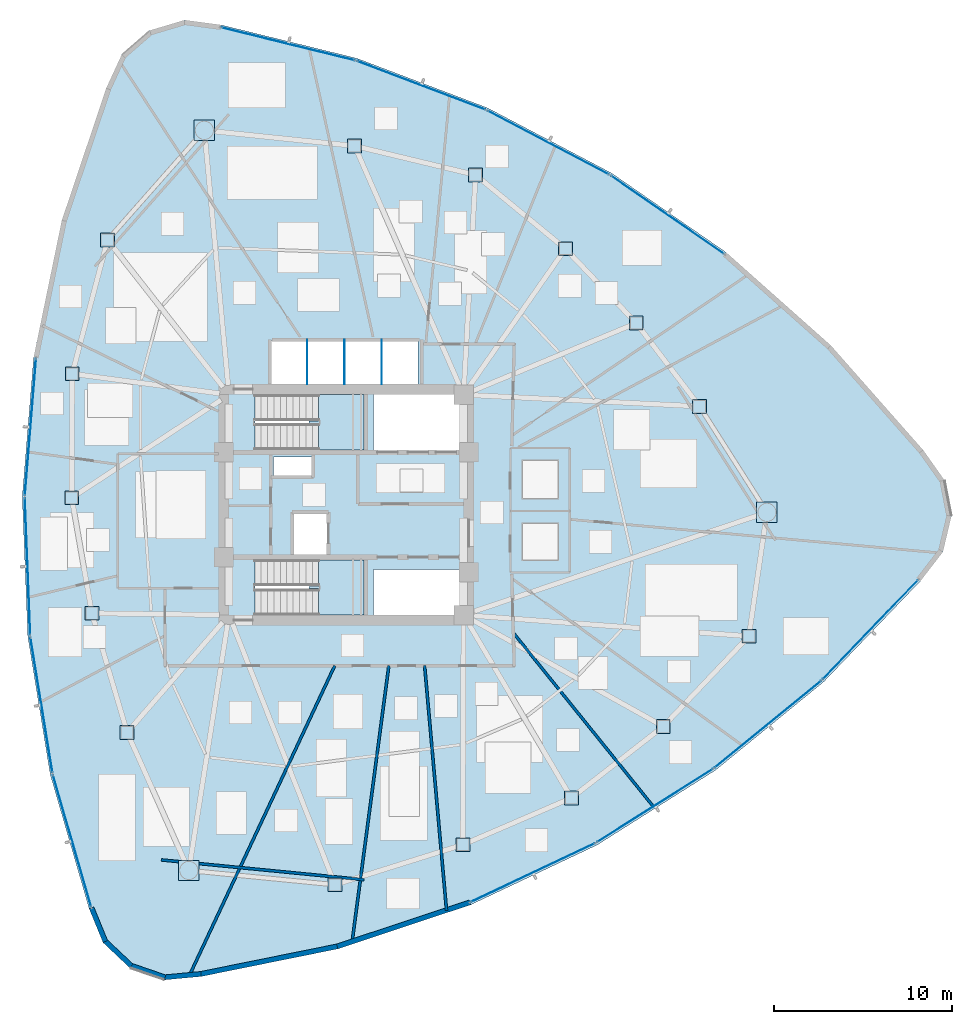
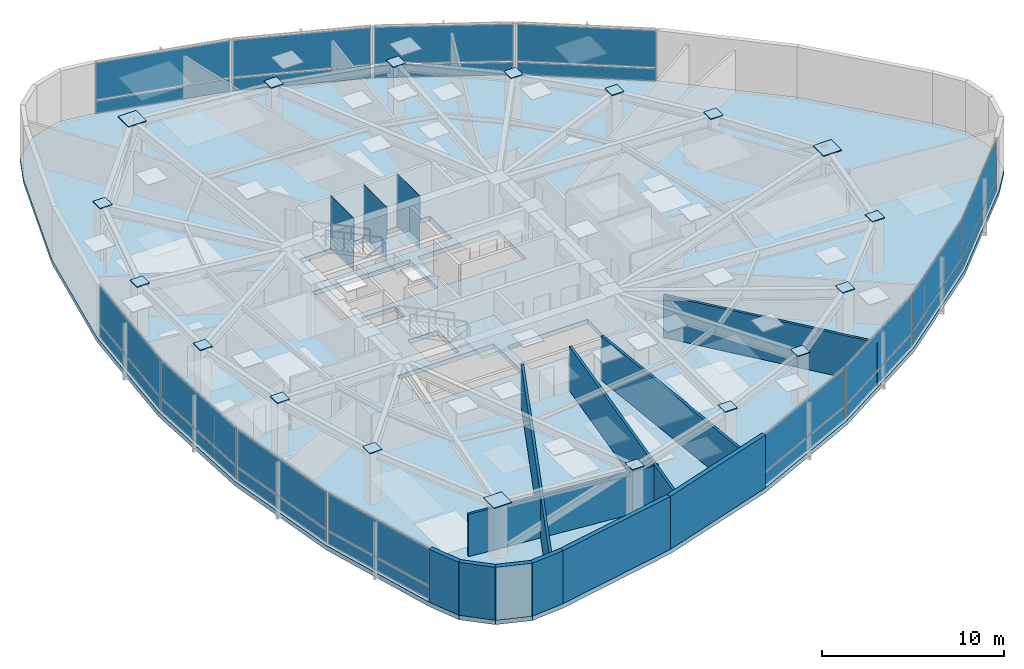
# One storey, part 10 of 17: 45 plates, 11 walls, 3 slabs, 14 elements without a shape of their own.
"""IFC4 building model written with IfcOpenShell, lengths in metres."""

from ifc_helpers import new_model, si_unit, direction, frame, frame_2d, origin, origin_2d, place, context, subcontext, project, spatial, polyline, rectangle, outline, extrude, source, transform, mapped, material, layer, layer_set, type_object, type_shapes, element, aggregate, save


model = new_model("IFC4")

# Units and contexts
model_context = context("Model", 3, precision=1e-05, world=origin(), true_north=direction((0.0, 1.0)))
body_context = subcontext(model_context, "Body", "Model", "MODEL_VIEW")
ifc_project = project(units=[si_unit("LENGTHUNIT", "METRE"), si_unit("AREAUNIT", "SQUARE_METRE"), si_unit("VOLUMEUNIT", "CUBIC_METRE"), si_unit("PLANEANGLEUNIT", "RADIAN"), si_unit("MASSUNIT", "GRAM", prefix="KILO")], contexts=[model_context])

# Site, building, storey
site_placement = place(None, origin())
site = spatial("IfcSite", under=ifc_project, at=site_placement, CompositionType="ELEMENT")
building_placement = place(site_placement, origin())
building = spatial("IfcBuilding", under=site, at=building_placement, Name="Tavelor Broadcast Tower", CompositionType="ELEMENT")
storey_placement = place(building_placement, frame((0.0, 0.0, 154.10009765625)))
storey = spatial("IfcBuildingStorey", under=building, at=storey_placement, Name="L36", CompositionType="ELEMENT", Elevation=154.10009765625)

# Stair, slab
ifc_material_1 = material(Name="Concrete C40/50", Category="concrete")
stair_type = type_object("IfcStairType", Name="Reinforced Concrete Protected Dogleg Stair 1450 mm", PredefinedType="HALF_TURN_STAIR", material=ifc_material_1)
stair_1_placement = place(storey_placement, origin())
stair_1 = element("IfcStair", 1, at=stair_1_placement, inside=storey, type_object=stair_type, Name="L36 Protected Core Exit Stair ST1", PredefinedType="HALF_TURN_STAIR")
ifc_layer_1 = layer(ifc_material_1, 0.199951171875)
ifc_layer_set_1 = layer_set([ifc_layer_1], Name="Concrete C40/50")
slab_type_1 = type_object("IfcSlabType", Name="Reinforced Concrete Stair Half-Landing Slab 200 mm", PredefinedType="LANDING", material=ifc_layer_set_1)
slab_1_placement = place(storey_placement, frame((0.0, 0.0, 1.724853515625)))
slab_1 = element("IfcSlab", 2, at=slab_1_placement, type_object=slab_type_1, Name="ST1 landing 1", PredefinedType="LANDING", context=body_context, shape_type="SweptSolid", body=[
    extrude(outline(polyline([(48.445068359375, 49.590087890625), (48.445068359375, 48.094970703125), (51.0048828125, 48.094970703125), (51.0048828125, 51.205078125), (48.445068359375, 51.205078125), (48.445068359375, 49.7099609375), (47.905029296875, 49.7099609375), (47.905029296875, 49.590087890625), (48.445068359375, 49.590087890625)])), origin(), (0.0, 0.0, 1.0), 0.199951171875),
])
aggregate(stair_1, [slab_1])

stair_2_placement = place(storey_placement, origin())
stair_2 = element("IfcStair", 3, at=stair_2_placement, inside=storey, type_object=stair_type, Name="L36 Protected Core Exit Stair ST2", PredefinedType="HALF_TURN_STAIR")
slab_2_placement = place(storey_placement, frame((0.0, 0.0, 1.724853515625)))
slab_2 = element("IfcSlab", 4, at=slab_2_placement, type_object=slab_type_1, Name="ST2 landing 1", PredefinedType="LANDING", context=body_context, shape_type="SweptSolid", body=[
    extrude(outline(polyline([(48.445068359375, 40.2900390625), (48.445068359375, 38.794921875), (51.0048828125, 38.794921875), (51.0048828125, 41.905029296875), (48.445068359375, 41.905029296875), (48.445068359375, 40.409912109375), (47.905029296875, 40.409912109375), (47.905029296875, 40.2900390625), (48.445068359375, 40.2900390625)])), origin(), (0.0, 0.0, 1.0), 0.199951171875),
])
aggregate(stair_2, [slab_2])

# Slab
ifc_layer_2 = layer(ifc_material_1, 0.300048828125)
ifc_layer_set_2 = layer_set([ifc_layer_2], Name="Concrete C40/50")
slab_type_2 = type_object("IfcSlabType", Name="Tower Composite Floor Slab 300 mm", PredefinedType="FLOOR", material=ifc_layer_set_2)
slab_3_placement = place(storey_placement, frame((0.0, 0.0, -0.300048828125)))
element("IfcSlab", 5, at=slab_3_placement, inside=storey, type_object=slab_type_2, Name="L36 Structural Floor Slab", PredefinedType="FLOOR", context=body_context, shape_type="SweptSolid", body=[
    extrude(outline(polyline([(42.952392578125, 72.014404296875), (40.903564453125, 72.289794921875), (38.923095703125, 71.697509765625), (37.36181640625, 70.342529296875), (36.49609375, 68.465087890625), (33.989501953125, 61.006591796875), (32.40380859375, 53.2998046875), (31.7626953125, 45.45751953125), (32.074951171875, 37.59521484375), (33.33642578125, 29.82861328125), (35.528564453125, 22.271484375), (36.314697265625, 20.359619140625), (37.81787109375, 18.940673828125), (39.77197265625, 18.265869140625), (41.830322265625, 18.455078125), (49.54296875, 20.013427734375), (57.01025390625, 22.493896484375), (64.12255859375, 25.859619140625), (70.775390625, 30.061279296875), (76.87060546875, 35.037109375), (82.319091796875, 40.7138671875), (83.581787109375, 42.3505859375), (84.05908203125, 44.362060546875), (83.66650390625, 46.3916015625), (82.473388671875, 48.07958984375), (77.267333984375, 53.979736328125), (71.3857421875, 59.20654296875), (64.914794921875, 63.68310546875), (57.94970703125, 67.343505859375), (50.593017578125, 70.134521484375), (42.952392578125, 72.014404296875)]), holes=[polyline([(56.60009765625, 41.35009765625), (56.60009765625, 38.800048828125), (51.52001953125, 38.800048828125), (51.52001953125, 41.35009765625), (56.60009765625, 41.35009765625)]), polyline([(50.99609375, 38.803955078125), (44.85400390625, 38.803955078125), (44.85400390625, 41.89599609375), (50.99609375, 41.89599609375), (50.99609375, 38.803955078125)]), polyline([(47.050048828125, 42.199951171875), (47.050048828125, 44.550048828125), (48.949951171875, 44.550048828125), (48.949951171875, 42.199951171875), (47.050048828125, 42.199951171875)]), polyline([(48.050048828125, 46.64990234375), (45.89990234375, 46.64990234375), (45.89990234375, 47.699951171875), (48.050048828125, 47.699951171875), (48.050048828125, 46.64990234375)]), polyline([(50.99609375, 48.10400390625), (44.85400390625, 48.10400390625), (44.85400390625, 51.196044921875), (50.99609375, 51.196044921875), (50.99609375, 48.10400390625)]), polyline([(56.60009765625, 48.10009765625), (51.52001953125, 48.10009765625), (51.52001953125, 51.199951171875), (56.60009765625, 51.199951171875), (56.60009765625, 48.10009765625)]), polyline([(54.050048828125, 51.800048828125), (45.800048828125, 51.800048828125), (45.800048828125, 54.25), (54.050048828125, 54.25), (54.050048828125, 51.800048828125)])]), origin(), (0.0, 0.0, 1.0), 0.300048828125),
])

# Plates
ifc_material_2 = material(Name="Steel S460", Category="steel")
ifc_layer_3 = layer(ifc_material_2, 0.050048828125)
ifc_layer_set_3 = layer_set([ifc_layer_3], Name="Steel S460")
plate_type_1 = type_object("IfcPlateType", Name="Tube Hollow-End Cap Plate KN05 700x700x50", PredefinedType="USERDEFINED", material=ifc_layer_set_3)
shared_shape_1 = source(origin(), body_context, "Body", "SweptSolid", [
    extrude(rectangle(XDim=1.14697265625, YDim=1.14697265625, at=origin_2d()), origin(), (0.0, 0.0, 1.0), 0.054931640625),
])
for number, where, z_axis, x_axis, name in (
    (6, (42.01123046875, 66.080078125, 3.5224609375), (0.0, 0.0, 1.0), (1.0, 0.0, 0.0), "L36 Hollow End Cap Plate KN05 #1035"),
    (7, (41.138671875, 24.423828125, 3.5224609375), (0.0, 0.0, 1.0), (1.0, 0.0, 0.0), "L36 Hollow End Cap Plate KN05 #1041"),
    (8, (73.676025390625, 44.57958984375, 3.5224609375), (0.0, 0.0, 1.0), (1.0, 0.0, 0.0), "L36 Hollow End Cap Plate KN05 #1047"),
):
    element("IfcPlate", number, at=place(storey_placement, frame(where, z_axis=z_axis, x_axis=x_axis)), inside=storey, type_object=plate_type_1, Name=name, ObjectType="CAP PLATE", PredefinedType="USERDEFINED", context=body_context, shape_type="MappedRepresentation", body=[
        mapped(shared_shape_1, transform((0.0, 0.0, 0.0), scale=1.0)),
    ])
shared_shape_2 = source(origin(), body_context, "Body", "SweptSolid", [
    extrude(rectangle(XDim=0.780029296875, YDim=0.780029296875, at=origin_2d()), origin(), (0.0, 0.0, 1.0), 0.054931640625),
])
type_shapes(plate_type_1, [shared_shape_1, shared_shape_2])
for number, where, z_axis, x_axis, name in (
    (9, (36.567626953125, 59.91064453125, 3.5224609375), (0.0, 0.0, 1.0), (1.0, 0.0, 0.0), "L36 Hollow End Cap Plate KN05 #1036"),
    (10, (34.5751953125, 52.37939453125, 3.5224609375), (0.0, 0.0, 1.0), (1.0, 0.0, 0.0), "L36 Hollow End Cap Plate KN05 #1037"),
    (11, (34.54638671875, 45.399169921875, 3.5224609375), (0.0, 0.0, 1.0), (1.0, 0.0, 0.0), "L36 Hollow End Cap Plate KN05 #1038"),
    (12, (35.680908203125, 38.89990234375, 3.5224609375), (0.0, 0.0, 1.0), (1.0, 0.0, 0.0), "L36 Hollow End Cap Plate KN05 #1039"),
    (13, (37.668212890625, 32.1904296875, 3.5224609375), (0.0, 0.0, 1.0), (1.0, 0.0, 0.0), "L36 Hollow End Cap Plate KN05 #1040"),
    (14, (49.366455078125, 23.618896484375, 3.5224609375), (0.0, 0.0, 1.0), (1.0, 0.0, 0.0), "L36 Hollow End Cap Plate KN05 #1042"),
    (15, (56.56103515625, 25.872802734375, 3.5224609375), (0.0, 0.0, 1.0), (1.0, 0.0, 0.0), "L36 Hollow End Cap Plate KN05 #1043"),
    (16, (62.669189453125, 28.503173828125, 3.5224609375), (0.0, 0.0, 1.0), (1.0, 0.0, 0.0), "L36 Hollow End Cap Plate KN05 #1044"),
    (17, (67.84228515625, 32.53173828125, 3.5224609375), (0.0, 0.0, 1.0), (1.0, 0.0, 0.0), "L36 Hollow End Cap Plate KN05 #1045"),
    (18, (72.6591796875, 37.607421875, 3.5224609375), (0.0, 0.0, 1.0), (1.0, 0.0, 0.0), "L36 Hollow End Cap Plate KN05 #1046"),
    (19, (69.885986328125, 50.544189453125, 3.5224609375), (0.0, 0.0, 1.0), (1.0, 0.0, 0.0), "L36 Hollow End Cap Plate KN05 #1048"),
    (20, (66.322021484375, 55.228759765625, 3.5224609375), (0.0, 0.0, 1.0), (1.0, 0.0, 0.0), "L36 Hollow End Cap Plate KN05 #1049"),
    (21, (62.330810546875, 59.416259765625, 3.5224609375), (0.0, 0.0, 1.0), (1.0, 0.0, 0.0), "L36 Hollow End Cap Plate KN05 #1050"),
    (22, (57.276611328125, 63.568359375, 3.5224609375), (0.0, 0.0, 1.0), (1.0, 0.0, 0.0), "L36 Hollow End Cap Plate KN05 #1051"),
    (23, (50.472412109375, 65.2021484375, 3.5224609375), (0.0, 0.0, 1.0), (1.0, 0.0, 0.0), "L36 Hollow End Cap Plate KN05 #1052"),
):
    element("IfcPlate", number, at=place(storey_placement, frame(where, z_axis=z_axis, x_axis=x_axis)), inside=storey, type_object=plate_type_1, Name=name, ObjectType="CAP PLATE", PredefinedType="USERDEFINED", context=body_context, shape_type="MappedRepresentation", body=[
        mapped(shared_shape_2, transform((0.0, 0.0, 0.0), scale=1.0)),
    ])
ifc_material_3 = material(Name="Steel S355", Category="steel")
ifc_layer_4 = layer(ifc_material_3, 0.011962890625)
ifc_layer_set_4 = layer_set([ifc_layer_4], Name="Steel S355")
plate_type_2 = type_object("IfcPlateType", Name="Hoistway Steel Separator Screen 12 mm", PredefinedType="SHEET", material=ifc_layer_set_4)
shared_shape_3 = source(origin(), body_context, "Body", "SweptSolid", [
    extrude(rectangle(XDim=0.02001953125, YDim=2.52001953125, at=origin_2d()), origin(), (0.0, 0.0, 1.0), 3.550048828125),
])
type_shapes(plate_type_2, [shared_shape_3])
for number, where, z_axis, x_axis, name in (
    (24, (47.800048828125, 53.0400390625, 0.0), (0.0, 0.0, 1.0), (1.0, 0.0, 0.0), "L36 High-Rise Hoistway Separator Screen 1"),
    (25, (49.89990234375, 53.0400390625, 0.0), (0.0, 0.0, 1.0), (1.0, 0.0, 0.0), "L36 High-Rise Hoistway Separator Screen 2"),
    (26, (52.0, 53.0400390625, 0.0), (0.0, 0.0, 1.0), (1.0, 0.0, 0.0), "L36 High-Rise Hoistway Separator Screen 3"),
):
    element("IfcPlate", number, at=place(storey_placement, frame(where, z_axis=z_axis, x_axis=x_axis)), inside=storey, type_object=plate_type_2, Name=name, PredefinedType="SHEET", context=body_context, shape_type="MappedRepresentation", body=[
        mapped(shared_shape_3, transform((0.0, 0.0, 0.0), scale=1.0)),
    ])

# Curtain wall, plate
ifc_material_4 = material(Name="Architectural Anodized Aluminium", Category="aluminium")
ifc_layer_5 = layer(ifc_material_4, 0.18994140625)
ifc_layer_set_5 = layer_set([ifc_layer_5], Name="Architectural Anodized Aluminium")
curtain_wall_type = type_object("IfcCurtainWallType", Name="Tower Mid-Zone Acoustic Curtain Wall CW03", PredefinedType="NOTDEFINED", material=ifc_layer_set_5)
curtain_wall_1_placement = place(storey_placement, origin())
curtain_wall_1 = element("IfcCurtainWall", 27, at=curtain_wall_1_placement, inside=storey, type_object=curtain_wall_type, Name="L36 Curtain Wall CW03 Run 373", PredefinedType="NOTDEFINED")
ifc_material_5 = material(Name="Solar Control Double Glazing 30 mm", Category="glass")
ifc_layer_6 = layer(ifc_material_5, 0.030029296875)
ifc_layer_set_6 = layer_set([ifc_layer_6], Name="Solar Control Double Glazing 30 mm")
plate_type_3 = type_object("IfcPlateType", Name="CW03 Insulated Vision Glazing Panel 30 mm", PredefinedType="CURTAIN_PANEL", material=ifc_layer_set_6)
shared_shape_4 = source(origin(), body_context, "Body", "SweptSolid", [
    extrude(rectangle(XDim=7.700439453125, YDim=0.030029296875, at=origin_2d()), origin(), (0.0, 0.0, 1.0), 0.847900390625),
])
plate_1_placement = place(storey_placement, frame((32.223388671875, 49.37451171875, 0.06787109375), z_axis=(0.0, 0.0, 1.0), x_axis=(-0.08150351833, -0.996673053965, 0.0)))
plate_1 = element("IfcPlate", 28, at=plate_1_placement, type_object=plate_type_3, Name="CW03 panel 1.1", PredefinedType="CURTAIN_PANEL", context=body_context, shape_type="MappedRepresentation", body=[
    mapped(shared_shape_4, transform((0.0, 0.0, 0.0), scale=1.0)),
])

curtain_wall_2_placement = place(storey_placement, origin())
curtain_wall_2 = element("IfcCurtainWall", 29, at=curtain_wall_2_placement, inside=storey, type_object=curtain_wall_type, Name="L36 Curtain Wall CW03 Run 377", PredefinedType="NOTDEFINED")
plate_2_placement = place(storey_placement, frame((60.499755859375, 24.300048828125, 0.06787109375), z_axis=(0.0, 0.0, 1.0), x_axis=(0.903900430898, 0.427742926326, 0.0)))
plate_2 = element("IfcPlate", 30, at=plate_2_placement, type_object=plate_type_3, Name="CW03 panel 1.1", PredefinedType="CURTAIN_PANEL", context=body_context, shape_type="MappedRepresentation", body=[
    mapped(shared_shape_4, transform((0.0, 0.0, 0.0), scale=1.0)),
])

curtain_wall_3_placement = place(storey_placement, origin())
curtain_wall_3 = element("IfcCurtainWall", 31, at=curtain_wall_3_placement, inside=storey, type_object=curtain_wall_type, Name="L36 Curtain Wall CW03 Run 381", PredefinedType="NOTDEFINED")
plate_3_placement = place(storey_placement, frame((68.076904296875, 61.325439453125, 0.06787109375), z_axis=(0.0, 0.0, 1.0), x_axis=(-0.822391977401, 0.568921291135, 0.0)))
plate_3 = element("IfcPlate", 32, at=plate_3_placement, type_object=plate_type_3, Name="CW03 panel 1.1", PredefinedType="CURTAIN_PANEL", context=body_context, shape_type="MappedRepresentation", body=[
    mapped(shared_shape_4, transform((0.0, 0.0, 0.0), scale=1.0)),
])

# Plate
shared_shape_5 = source(origin(), body_context, "Body", "SweptSolid", [
    extrude(rectangle(XDim=7.700439453125, YDim=0.030029296875, at=origin_2d()), origin(), (0.0, 0.0, 1.0), 2.498046875),
])
plate_4_placement = place(storey_placement, frame((32.223388671875, 49.37451171875, 0.98388671875), z_axis=(0.0, 0.0, 1.0), x_axis=(-0.08150351833, -0.996673053965, 0.0)))
plate_4 = element("IfcPlate", 33, at=plate_4_placement, type_object=plate_type_3, Name="CW03 panel 1.2", PredefinedType="CURTAIN_PANEL", context=body_context, shape_type="MappedRepresentation", body=[
    mapped(shared_shape_5, transform((0.0, 0.0, 0.0), scale=1.0)),
])

aggregate(curtain_wall_1, [plate_1, plate_4])

plate_5_placement = place(storey_placement, frame((60.499755859375, 24.300048828125, 0.98388671875), z_axis=(0.0, 0.0, 1.0), x_axis=(0.903900430898, 0.427742926326, 0.0)))
plate_5 = element("IfcPlate", 34, at=plate_5_placement, type_object=plate_type_3, Name="CW03 panel 1.2", PredefinedType="CURTAIN_PANEL", context=body_context, shape_type="MappedRepresentation", body=[
    mapped(shared_shape_5, transform((0.0, 0.0, 0.0), scale=1.0)),
])

aggregate(curtain_wall_2, [plate_2, plate_5])

plate_6_placement = place(storey_placement, frame((68.076904296875, 61.325439453125, 0.98388671875), z_axis=(0.0, 0.0, 1.0), x_axis=(-0.822391977401, 0.568921291135, 0.0)))
plate_6 = element("IfcPlate", 35, at=plate_6_placement, type_object=plate_type_3, Name="CW03 panel 1.2", PredefinedType="CURTAIN_PANEL", context=body_context, shape_type="MappedRepresentation", body=[
    mapped(shared_shape_5, transform((0.0, 0.0, 0.0), scale=1.0)),
])

aggregate(curtain_wall_3, [plate_3, plate_6])

# Curtain wall, plate
curtain_wall_4_placement = place(storey_placement, origin())
curtain_wall_4 = element("IfcCurtainWall", 36, at=curtain_wall_4_placement, inside=storey, type_object=curtain_wall_type, Name="L36 Curtain Wall CW03 Run 374", PredefinedType="NOTDEFINED")
shared_shape_6 = source(origin(), body_context, "Body", "SweptSolid", [
    extrude(rectangle(XDim=7.685546875, YDim=0.030029296875, at=origin_2d()), origin(), (0.0, 0.0, 1.0), 0.847900390625),
])
plate_7_placement = place(storey_placement, frame((32.05859375, 41.53173828125, 0.06787109375), z_axis=(0.0, 0.0, 1.0), x_axis=(0.039711207292, -0.999211198904, 0.0)))
plate_7 = element("IfcPlate", 37, at=plate_7_placement, type_object=plate_type_3, Name="CW03 panel 1.1", PredefinedType="CURTAIN_PANEL", context=body_context, shape_type="MappedRepresentation", body=[
    mapped(shared_shape_6, transform((0.0, 0.0, 0.0), scale=1.0)),
])

curtain_wall_5_placement = place(storey_placement, origin())
curtain_wall_5 = element("IfcCurtainWall", 38, at=curtain_wall_5_placement, inside=storey, type_object=curtain_wall_type, Name="L36 Curtain Wall CW03 Run 375", PredefinedType="NOTDEFINED")
plate_8_placement = place(storey_placement, frame((32.843994140625, 33.734130859375, 0.06787109375), z_axis=(0.0, 0.0, 1.0), x_axis=(0.160315257914, -0.987065863091, 0.0)))
plate_8 = element("IfcPlate", 39, at=plate_8_placement, type_object=plate_type_3, Name="CW03 panel 1.1", PredefinedType="CURTAIN_PANEL", context=body_context, shape_type="MappedRepresentation", body=[
    mapped(shared_shape_6, transform((0.0, 0.0, 0.0), scale=1.0)),
])

curtain_wall_6_placement = place(storey_placement, origin())
curtain_wall_6 = element("IfcCurtainWall", 40, at=curtain_wall_6_placement, inside=storey, type_object=curtain_wall_type, Name="L36 Curtain Wall CW03 Run 378", PredefinedType="NOTDEFINED")
plate_9_placement = place(storey_placement, frame((67.374267578125, 28.07861328125, 0.06787109375), z_axis=(0.0, 0.0, 1.0), x_axis=(0.84549072588, 0.533990105199, 0.0)))
plate_9 = element("IfcPlate", 41, at=plate_9_placement, type_object=plate_type_3, Name="CW03 panel 1.1", PredefinedType="CURTAIN_PANEL", context=body_context, shape_type="MappedRepresentation", body=[
    mapped(shared_shape_6, transform((0.0, 0.0, 0.0), scale=1.0)),
])

curtain_wall_7_placement = place(storey_placement, origin())
curtain_wall_7 = element("IfcCurtainWall", 42, at=curtain_wall_7_placement, inside=storey, type_object=curtain_wall_type, Name="L36 Curtain Wall CW03 Run 382", PredefinedType="NOTDEFINED")
plate_10_placement = place(storey_placement, frame((61.3671875, 65.389404296875, 0.06787109375), z_axis=(0.0, 0.0, 1.0), x_axis=(-0.88519457416, 0.465220986067, 0.0)))
plate_10 = element("IfcPlate", 43, at=plate_10_placement, type_object=plate_type_3, Name="CW03 panel 1.1", PredefinedType="CURTAIN_PANEL", context=body_context, shape_type="MappedRepresentation", body=[
    mapped(shared_shape_6, transform((0.0, 0.0, 0.0), scale=1.0)),
])

curtain_wall_8_placement = place(storey_placement, origin())
curtain_wall_8 = element("IfcCurtainWall", 44, at=curtain_wall_8_placement, inside=storey, type_object=curtain_wall_type, Name="L36 Curtain Wall CW03 Run 383", PredefinedType="NOTDEFINED")
plate_11_placement = place(storey_placement, frame((54.2216796875, 68.608154296875, 0.06787109375), z_axis=(0.0, 0.0, 1.0), x_axis=(-0.93498042073, 0.35469932739, 0.0)))
plate_11 = element("IfcPlate", 45, at=plate_11_placement, type_object=plate_type_3, Name="CW03 panel 1.1", PredefinedType="CURTAIN_PANEL", context=body_context, shape_type="MappedRepresentation", body=[
    mapped(shared_shape_6, transform((0.0, 0.0, 0.0), scale=1.0)),
])

# Plate
shared_shape_7 = source(origin(), body_context, "Body", "SweptSolid", [
    extrude(rectangle(XDim=7.685546875, YDim=0.030029296875, at=origin_2d()), origin(), (0.0, 0.0, 1.0), 2.498046875),
])
plate_12_placement = place(storey_placement, frame((32.05859375, 41.53173828125, 0.98388671875), z_axis=(0.0, 0.0, 1.0), x_axis=(0.039711207292, -0.999211198904, 0.0)))
plate_12 = element("IfcPlate", 46, at=plate_12_placement, type_object=plate_type_3, Name="CW03 panel 1.2", PredefinedType="CURTAIN_PANEL", context=body_context, shape_type="MappedRepresentation", body=[
    mapped(shared_shape_7, transform((0.0, 0.0, 0.0), scale=1.0)),
])

aggregate(curtain_wall_4, [plate_7, plate_12])

plate_13_placement = place(storey_placement, frame((32.843994140625, 33.734130859375, 0.98388671875), z_axis=(0.0, 0.0, 1.0), x_axis=(0.160315257914, -0.987065863091, 0.0)))
plate_13 = element("IfcPlate", 47, at=plate_13_placement, type_object=plate_type_3, Name="CW03 panel 1.2", PredefinedType="CURTAIN_PANEL", context=body_context, shape_type="MappedRepresentation", body=[
    mapped(shared_shape_7, transform((0.0, 0.0, 0.0), scale=1.0)),
])

aggregate(curtain_wall_5, [plate_8, plate_13])

plate_14_placement = place(storey_placement, frame((67.374267578125, 28.07861328125, 0.98388671875), z_axis=(0.0, 0.0, 1.0), x_axis=(0.84549072588, 0.533990105199, 0.0)))
plate_14 = element("IfcPlate", 48, at=plate_14_placement, type_object=plate_type_3, Name="CW03 panel 1.2", PredefinedType="CURTAIN_PANEL", context=body_context, shape_type="MappedRepresentation", body=[
    mapped(shared_shape_7, transform((0.0, 0.0, 0.0), scale=1.0)),
])

aggregate(curtain_wall_6, [plate_9, plate_14])

plate_15_placement = place(storey_placement, frame((61.3671875, 65.389404296875, 0.98388671875), z_axis=(0.0, 0.0, 1.0), x_axis=(-0.88519457416, 0.465220986067, 0.0)))
plate_15 = element("IfcPlate", 49, at=plate_15_placement, type_object=plate_type_3, Name="CW03 panel 1.2", PredefinedType="CURTAIN_PANEL", context=body_context, shape_type="MappedRepresentation", body=[
    mapped(shared_shape_7, transform((0.0, 0.0, 0.0), scale=1.0)),
])

aggregate(curtain_wall_7, [plate_10, plate_15])

plate_16_placement = place(storey_placement, frame((54.2216796875, 68.608154296875, 0.98388671875), z_axis=(0.0, 0.0, 1.0), x_axis=(-0.93498042073, 0.35469932739, 0.0)))
plate_16 = element("IfcPlate", 50, at=plate_16_placement, type_object=plate_type_3, Name="CW03 panel 1.2", PredefinedType="CURTAIN_PANEL", context=body_context, shape_type="MappedRepresentation", body=[
    mapped(shared_shape_7, transform((0.0, 0.0, 0.0), scale=1.0)),
])

aggregate(curtain_wall_8, [plate_11, plate_16])

# Curtain wall, plate
curtain_wall_9_placement = place(storey_placement, origin())
curtain_wall_9 = element("IfcCurtainWall", 51, at=curtain_wall_9_placement, inside=storey, type_object=curtain_wall_type, Name="L36 Curtain Wall CW03 Run 376", PredefinedType="NOTDEFINED")
shared_shape_8 = source(origin(), body_context, "Body", "SweptSolid", [
    extrude(rectangle(XDim=7.701416015625, YDim=0.030029296875, at=origin_2d()), origin(), (0.0, 0.0, 1.0), 0.847900390625),
])
plate_17_placement = place(storey_placement, frame((34.5693359375, 26.081298828125, 0.06787109375), z_axis=(0.0, 0.0, 1.0), x_axis=(0.278603305999, -0.960406267101, 0.0)))
plate_17 = element("IfcPlate", 52, at=plate_17_placement, type_object=plate_type_3, Name="CW03 panel 1.1", PredefinedType="CURTAIN_PANEL", context=body_context, shape_type="MappedRepresentation", body=[
    mapped(shared_shape_8, transform((0.0, 0.0, 0.0), scale=1.0)),
])

curtain_wall_10_placement = place(storey_placement, origin())
curtain_wall_10 = element("IfcCurtainWall", 53, at=curtain_wall_10_placement, inside=storey, type_object=curtain_wall_type, Name="L36 Curtain Wall CW03 Run 380", PredefinedType="NOTDEFINED")
plate_18_placement = place(storey_placement, frame((79.49951171875, 37.978271484375, 0.06787109375), z_axis=(0.0, 0.0, 1.0), x_axis=(0.692444176308, 0.721471456606, 0.0)))
plate_18 = element("IfcPlate", 54, at=plate_18_placement, type_object=plate_type_3, Name="CW03 panel 1.1", PredefinedType="CURTAIN_PANEL", context=body_context, shape_type="MappedRepresentation", body=[
    mapped(shared_shape_8, transform((0.0, 0.0, 0.0), scale=1.0)),
])

curtain_wall_11_placement = place(storey_placement, origin())
curtain_wall_11 = element("IfcCurtainWall", 55, at=curtain_wall_11_placement, inside=storey, type_object=curtain_wall_type, Name="L36 Curtain Wall CW03 Run 384", PredefinedType="NOTDEFINED")
plate_19_placement = place(storey_placement, frame((46.7314453125, 70.9404296875, 0.06787109375), z_axis=(0.0, 0.0, 1.0), x_axis=(-0.971036469882, 0.238931316824, 0.0)))
plate_19 = element("IfcPlate", 56, at=plate_19_placement, type_object=plate_type_3, Name="CW03 panel 1.1", PredefinedType="CURTAIN_PANEL", context=body_context, shape_type="MappedRepresentation", body=[
    mapped(shared_shape_8, transform((0.0, 0.0, 0.0), scale=1.0)),
])

# Plate
shared_shape_9 = source(origin(), body_context, "Body", "SweptSolid", [
    extrude(rectangle(XDim=7.701416015625, YDim=0.030029296875, at=origin_2d()), origin(), (0.0, 0.0, 1.0), 2.498046875),
])
plate_20_placement = place(storey_placement, frame((34.5693359375, 26.081298828125, 0.98388671875), z_axis=(0.0, 0.0, 1.0), x_axis=(0.278603305999, -0.960406267101, 0.0)))
plate_20 = element("IfcPlate", 57, at=plate_20_placement, type_object=plate_type_3, Name="CW03 panel 1.2", PredefinedType="CURTAIN_PANEL", context=body_context, shape_type="MappedRepresentation", body=[
    mapped(shared_shape_9, transform((0.0, 0.0, 0.0), scale=1.0)),
])

aggregate(curtain_wall_9, [plate_17, plate_20])

plate_21_placement = place(storey_placement, frame((79.49951171875, 37.978271484375, 0.98388671875), z_axis=(0.0, 0.0, 1.0), x_axis=(0.692444176308, 0.721471456606, 0.0)))
plate_21 = element("IfcPlate", 58, at=plate_21_placement, type_object=plate_type_3, Name="CW03 panel 1.2", PredefinedType="CURTAIN_PANEL", context=body_context, shape_type="MappedRepresentation", body=[
    mapped(shared_shape_9, transform((0.0, 0.0, 0.0), scale=1.0)),
])

aggregate(curtain_wall_10, [plate_18, plate_21])

plate_22_placement = place(storey_placement, frame((46.7314453125, 70.9404296875, 0.98388671875), z_axis=(0.0, 0.0, 1.0), x_axis=(-0.971036469882, 0.238931316824, 0.0)))
plate_22 = element("IfcPlate", 59, at=plate_22_placement, type_object=plate_type_3, Name="CW03 panel 1.2", PredefinedType="CURTAIN_PANEL", context=body_context, shape_type="MappedRepresentation", body=[
    mapped(shared_shape_9, transform((0.0, 0.0, 0.0), scale=1.0)),
])

aggregate(curtain_wall_11, [plate_19, plate_22])

# Curtain wall, plates
curtain_wall_12_placement = place(storey_placement, origin())
curtain_wall_12 = element("IfcCurtainWall", 60, at=curtain_wall_12_placement, inside=storey, type_object=curtain_wall_type, Name="L36 Curtain Wall CW03 Run 379", PredefinedType="NOTDEFINED")
shared_shape_10 = source(origin(), body_context, "Body", "SweptSolid", [
    extrude(rectangle(XDim=7.685302734375, YDim=0.030029296875, at=origin_2d()), origin(), (0.0, 0.0, 1.0), 0.847900390625),
])
plate_23_placement = place(storey_placement, frame((73.734375, 32.657470703125, 0.06787109375), z_axis=(0.0, 0.0, 1.0), x_axis=(0.774657493273, 0.6323810308, 0.0)))
plate_23 = element("IfcPlate", 61, at=plate_23_placement, type_object=plate_type_3, Name="CW03 panel 1.1", PredefinedType="CURTAIN_PANEL", context=body_context, shape_type="MappedRepresentation", body=[
    mapped(shared_shape_10, transform((0.0, 0.0, 0.0), scale=1.0)),
])
shared_shape_11 = source(origin(), body_context, "Body", "SweptSolid", [
    extrude(rectangle(XDim=7.685302734375, YDim=0.030029296875, at=origin_2d()), origin(), (0.0, 0.0, 1.0), 2.498046875),
])
type_shapes(plate_type_3, [shared_shape_4, shared_shape_5, shared_shape_6, shared_shape_7, shared_shape_8, shared_shape_9, shared_shape_10, shared_shape_11])
plate_24_placement = place(storey_placement, frame((73.734375, 32.657470703125, 0.98388671875), z_axis=(0.0, 0.0, 1.0), x_axis=(0.774657493273, 0.6323810308, 0.0)))
plate_24 = element("IfcPlate", 62, at=plate_24_placement, type_object=plate_type_3, Name="CW03 panel 1.2", PredefinedType="CURTAIN_PANEL", context=body_context, shape_type="MappedRepresentation", body=[
    mapped(shared_shape_11, transform((0.0, 0.0, 0.0), scale=1.0)),
])
aggregate(curtain_wall_12, [plate_23, plate_24])

# Walls
ifc_material_6 = material(Name="Precast Concrete C40/50", Category="concrete")
ifc_layer_7 = layer(ifc_material_6, 0.280029296875)
ifc_layer_set_7 = layer_set([ifc_layer_7], Name="Precast Concrete C40/50")
wall_type_1 = type_object("IfcWallType", Name="Insulated Precast Terracotta Facade Wall 280 mm", PredefinedType="STANDARD", material=ifc_layer_set_7)
wall_1_placement = place(storey_placement, frame((35.659423828125, 22.321533203125, 0.0), z_axis=(0.0, 0.0, 1.0), x_axis=(0.380312171498, -0.924858179512, 0.0)))
element("IfcWall", 63, at=wall_1_placement, inside=storey, type_object=wall_type_1, Name="L36 Rounded Corner Structural Cladding Pier 11", PredefinedType="STANDARD", context=body_context, shape_type="SweptSolid", body=[
    extrude(rectangle(XDim=2.04833984375, YDim=0.280029296875, at=frame_2d((1.024169921875, 0.0))), origin(), (0.0, 0.0, 1.0), 3.5498046875),
])
wall_2_placement = place(storey_placement, frame((36.421875, 20.451171875, 0.0), z_axis=(0.0, 0.0, 1.0), x_axis=(0.72712947279, -0.686500349454, 0.0)))
element("IfcWall", 64, at=wall_2_placement, inside=storey, type_object=wall_type_1, Name="L36 Rounded Corner Structural Cladding Pier 12", PredefinedType="STANDARD", context=body_context, shape_type="SweptSolid", body=[
    extrude(rectangle(XDim=2.037109375, YDim=0.280029296875, at=frame_2d((1.0185546875, 0.0))), origin(), (0.0, 0.0, 1.0), 3.5498046875),
])
wall_3_placement = place(storey_placement, frame((37.8779296875, 19.068115234375, 0.0), z_axis=(0.0, 0.0, 1.0), x_axis=(0.945236604631, -0.326385908497, 0.0)))
element("IfcWall", 65, at=wall_3_placement, inside=storey, type_object=wall_type_1, Name="L36 Rounded Corner Structural Cladding Pier 13", PredefinedType="STANDARD", context=body_context, shape_type="SweptSolid", body=[
    extrude(rectangle(XDim=2.036865234375, YDim=0.280029296875, at=frame_2d((1.0185546875, 0.0))), origin(), (0.0, 0.0, 1.0), 3.5498046875),
])
wall_4_placement = place(storey_placement, frame((39.774169921875, 18.40673828125, 0.0), z_axis=(0.0, 0.0, 1.0), x_axis=(0.995803324106, 0.091519067406, 0.0)))
element("IfcWall", 66, at=wall_4_placement, inside=storey, type_object=wall_type_1, Name="L36 Rounded Corner Structural Cladding Pier 14", PredefinedType="STANDARD", context=body_context, shape_type="SweptSolid", body=[
    extrude(rectangle(XDim=2.059326171875, YDim=0.280029296875, at=frame_2d((1.02978515625, 0.0))), origin(), (0.0, 0.0, 1.0), 3.5498046875),
])
wall_5_placement = place(storey_placement, frame((41.79541015625, 18.5908203125, 0.0), z_axis=(0.0, 0.0, 1.0), x_axis=(0.980186783847, 0.198075411828, 0.0)))
element("IfcWall", 67, at=wall_5_placement, inside=storey, type_object=wall_type_1, Name="L36 Rounded Corner Structural Cladding Pier 15", PredefinedType="STANDARD", context=body_context, shape_type="SweptSolid", body=[
    extrude(rectangle(XDim=7.88232421875, YDim=0.280029296875, at=frame_2d((3.941162109375, 0.0))), origin(), (0.0, 0.0, 1.0), 3.5498046875),
])
wall_6_placement = place(storey_placement, frame((49.49267578125, 20.144287109375, 0.0), z_axis=(0.0, 0.0, 1.0), x_axis=(0.949017778819, 0.315222549139, 0.0)))
element("IfcWall", 68, at=wall_6_placement, inside=storey, type_object=wall_type_1, Name="L36 Rounded Corner Structural Cladding Pier 16", PredefinedType="STANDARD", context=body_context, shape_type="SweptSolid", body=[
    extrude(rectangle(XDim=7.87060546875, YDim=0.280029296875, at=frame_2d((3.935302734375, 0.0))), origin(), (0.0, 0.0, 1.0), 3.5498046875),
])
ifc_material_7 = material(Name="Gypsum Acoustic Plasterboard 150 mm", Category="gypsum")
ifc_layer_8 = layer(ifc_material_7, 0.14990234375)
ifc_layer_set_8 = layer_set([ifc_layer_8], Name="Gypsum Acoustic Plasterboard 150 mm")
wall_type_2 = type_object("IfcWallType", Name="Interior Acoustic Partition Wall 150 mm", PredefinedType="PARTITIONING", material=ifc_layer_set_8)
wall_7_placement = place(storey_placement, frame((39.589111328125, 25.017578125, 0.0), z_axis=(0.0, 0.0, 1.0), x_axis=(0.99524905582, -0.097361783517, 0.0)))
element("IfcWall", 69, at=wall_7_placement, inside=storey, type_object=wall_type_2, Name="L36 Corner Tube Brace Furring Wall 2", PredefinedType="PARTITIONING", context=body_context, shape_type="SweptSolid", body=[
    extrude(rectangle(XDim=11.467041015625, YDim=0.14990234375, at=frame_2d((5.7333984375, 0.0))), origin(), (0.0, 0.0, 1.0), 2.8349609375),
])
wall_8_placement = place(storey_placement, frame((49.35302734375, 35.949951171875, 0.0), z_axis=(0.0, 0.0, 1.0), x_axis=(-0.424806587205, -0.905284134108, 0.0)))
element("IfcWall", 70, at=wall_8_placement, inside=storey, type_object=wall_type_2, Name="L36 Radial Compartment Wall 09", PredefinedType="PARTITIONING", context=body_context, shape_type="SweptSolid", body=[
    extrude(rectangle(XDim=19.24755859375, YDim=0.14990234375, at=frame_2d((9.623779296875, 0.0))), origin(), (0.0, 0.0, 1.0), 2.8349609375),
])
wall_9_placement = place(storey_placement, frame((52.396484375, 35.949951171875, 0.0), z_axis=(0.0, 0.0, 1.0), x_axis=(-0.131831117697, -0.991272190877, 0.0)))
element("IfcWall", 71, at=wall_9_placement, inside=storey, type_object=wall_type_2, Name="L36 Radial Compartment Wall 10", PredefinedType="PARTITIONING", context=body_context, shape_type="SweptSolid", body=[
    extrude(rectangle(XDim=15.674560546875, YDim=0.14990234375, at=frame_2d((7.83740234375, 0.0))), origin(), (0.0, 0.0, 1.0), 2.974853515625),
])
wall_10_placement = place(storey_placement, frame((54.41015625, 35.949951171875, 0.0), z_axis=(0.0, 0.0, 1.0), x_axis=(0.089157131736, -0.996017573068, 0.0)))
element("IfcWall", 72, at=wall_10_placement, inside=storey, type_object=wall_type_2, Name="L36 Radial Compartment Wall 11", PredefinedType="PARTITIONING", context=body_context, shape_type="SweptSolid", body=[
    extrude(rectangle(XDim=13.82861328125, YDim=0.14990234375, at=frame_2d((6.914306640625, 0.0))), origin(), (0.0, 0.0, 1.0), 2.974853515625),
])
wall_11_placement = place(storey_placement, frame((59.402099609375, 37.7998046875, 0.0), z_axis=(0.0, 0.0, 1.0), x_axis=(0.627434241865, -0.778669552593, 0.0)))
element("IfcWall", 73, at=wall_11_placement, inside=storey, type_object=wall_type_2, Name="L36 Radial Compartment Wall 12", PredefinedType="PARTITIONING", context=body_context, shape_type="SweptSolid", body=[
    extrude(rectangle(XDim=12.569091796875, YDim=0.14990234375, at=frame_2d((6.28466796875, 0.0))), origin(), (0.0, 0.0, 1.0), 2.8349609375),
])

save(model, "model.ifc")
